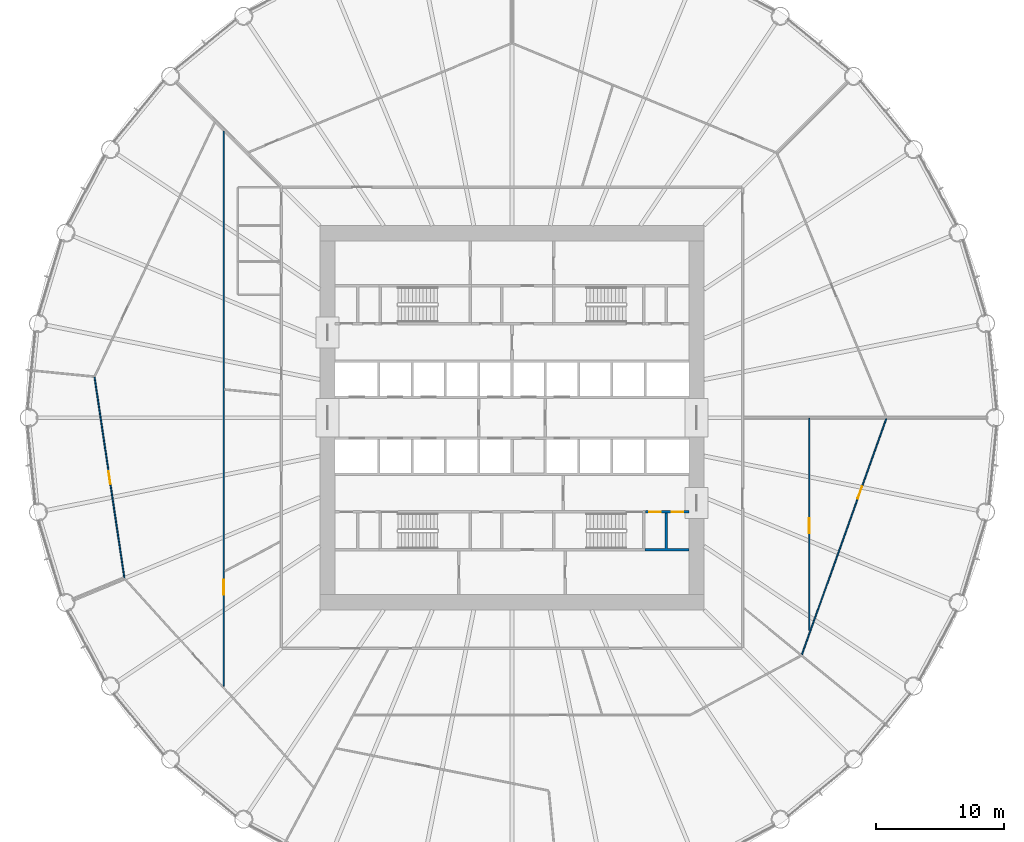
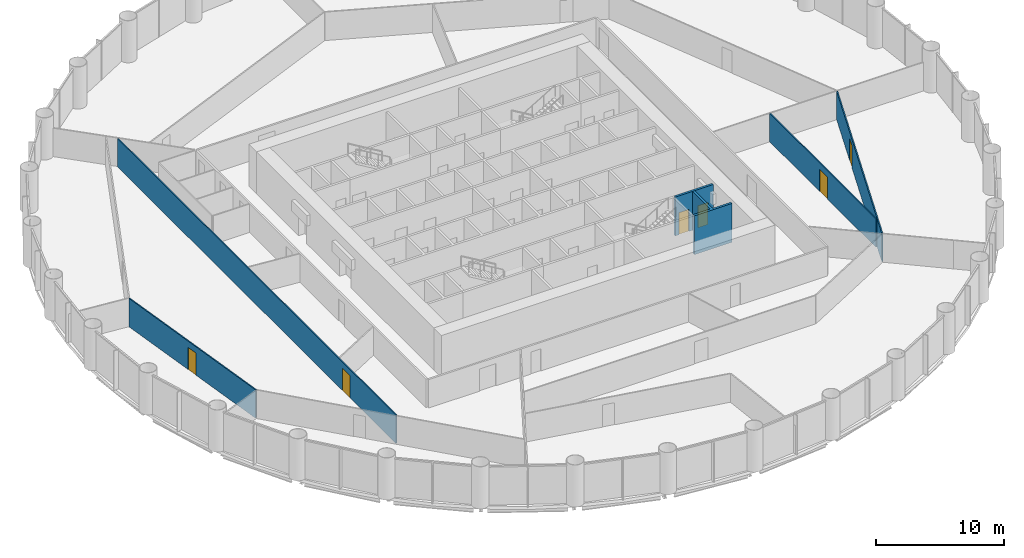
# One storey, part 11 of 15: 6 doors, 6 walls, 6 openings.
"""IFC4 building model written with IfcOpenShell, lengths in metres."""

from ifc_helpers import new_model, si_unit, direction, frame, frame_2d, origin, place, context, subcontext, project, spatial, polyline, rectangle, outline, extrude, material, layer, layer_set, type_object, element, fill, save


model = new_model("IFC4")

# Units and contexts
model_context = context("Model", 3, precision=1e-05, world=origin(), true_north=direction((0.0, 1.0)))
body_context = subcontext(model_context, "Body", "Model", "MODEL_VIEW")
ifc_project = project(units=[si_unit("LENGTHUNIT", "METRE"), si_unit("AREAUNIT", "SQUARE_METRE"), si_unit("VOLUMEUNIT", "CUBIC_METRE"), si_unit("PLANEANGLEUNIT", "RADIAN"), si_unit("MASSUNIT", "GRAM", prefix="KILO")], contexts=[model_context])

# Site, building, storey
site_placement = place(None, origin())
site = spatial("IfcSite", under=ifc_project, at=site_placement, CompositionType="ELEMENT")
building_placement = place(site_placement, origin())
building = spatial("IfcBuilding", under=site, at=building_placement, Name="Corvane Civic Tower", CompositionType="ELEMENT")
storey_placement = place(building_placement, frame((0.0, 0.0, 61.0)))
storey = spatial("IfcBuildingStorey", under=building, at=storey_placement, Name="L13", CompositionType="ELEMENT", Elevation=61.0)

# Wall, openings, doors
ifc_material_1 = material(Name="Concrete C30/37", Category="concrete")
ifc_layer_1 = layer(ifc_material_1, 0.199951171875)
ifc_layer_set_1 = layer_set([ifc_layer_1], Name="Concrete C30/37")
wall_type_1 = type_object("IfcWallType", Name="CR-WALL-200", PredefinedType="PARTITIONING", material=ifc_layer_set_1)
wall_1_placement = place(storey_placement, frame((10.39990234375, -7.35009765625, 0.0), z_axis=(0.0, 0.0, 1.0), x_axis=(1.0, 0.0, 0.0)))
wall_1 = element("IfcWall", 1, at=wall_1_placement, inside=storey, type_object=wall_type_1, Name="L13 core partition wall", PredefinedType="PARTITIONING", context=body_context, shape_type="SweptSolid", body=[
    extrude(rectangle(XDim=3.400146484375, YDim=0.199951171875, at=frame_2d((1.7001953125, 0.0))), origin(), (0.0, 0.0, 1.0), 3.699951171875),
])
opening_1_placement = place(wall_1_placement, frame((0.324951171875, 0.0, 0.0)))
opening_1 = element("IfcOpeningElement", 2, at=opening_1_placement, cuts=wall_1, Name="Opening L13.C18", PredefinedType="OPENING", context=body_context, shape_type="SweptSolid", body=[
    extrude(rectangle(XDim=0.89990234375, YDim=2.10009765625, at=frame_2d((0.449951171875, 1.050048828125))), frame((0.0, 0.10986328125, 0.0), z_axis=(0.0, -1.0, 0.0), x_axis=(1.0, 0.0, 0.0)), (0.0, 0.0, 1.0), 0.219970703125),
])
opening_2_placement = place(wall_1_placement, frame((2.074951171875, 0.0, 0.0)))
opening_2 = element("IfcOpeningElement", 3, at=opening_2_placement, cuts=wall_1, Name="Opening L13.C19", PredefinedType="OPENING", context=body_context, shape_type="SweptSolid", body=[
    extrude(rectangle(XDim=0.89990234375, YDim=2.10009765625, at=frame_2d((0.449951171875, 1.050048828125))), frame((0.0, 0.10986328125, 0.0), z_axis=(0.0, -1.0, 0.0), x_axis=(1.0, 0.0, 0.0)), (0.0, 0.0, 1.0), 0.219970703125),
])
ifc_material_2 = material(Name="Steel fire door leaf", Category="steel")
door_type_1 = type_object("IfcDoorType", Name="CR-DOOR-900", OperationType="SINGLE_SWING_LEFT", PredefinedType="DOOR", material=ifc_material_2)
door_1_placement = place(opening_1_placement, origin())
door_1 = element("IfcDoor", 4, at=door_1_placement, inside=storey, type_object=door_type_1, Name="L13 door", OperationType="SINGLE_SWING_LEFT", OverallHeight=2.10009765625, OverallWidth=0.89990234375, PredefinedType="DOOR", context=body_context, shape_type="SweptSolid", body=[
    extrude(rectangle(XDim=0.89990234375, YDim=2.10009765625, at=frame_2d((0.449951171875, 1.050048828125))), frame((0.0, 0.02490234375, 0.0), z_axis=(0.0, -1.0, 0.0), x_axis=(1.0, 0.0, 0.0)), (0.0, 0.0, 1.0), 0.050048828125),
])
fill(opening_1, door_1)
door_2_placement = place(opening_2_placement, origin())
door_2 = element("IfcDoor", 5, at=door_2_placement, inside=storey, type_object=door_type_1, Name="L13 door", OperationType="SINGLE_SWING_LEFT", OverallHeight=2.10009765625, OverallWidth=0.89990234375, PredefinedType="DOOR", context=body_context, shape_type="SweptSolid", body=[
    extrude(rectangle(XDim=0.89990234375, YDim=2.10009765625, at=frame_2d((0.449951171875, 1.050048828125))), frame((0.0, 0.02490234375, 0.0), z_axis=(0.0, -1.0, 0.0), x_axis=(1.0, 0.0, 0.0)), (0.0, 0.0, 1.0), 0.050048828125),
])
fill(opening_2, door_2)

# Wall
wall_2_placement = place(storey_placement, origin())
element("IfcWall", 6, at=wall_2_placement, inside=storey, type_object=wall_type_1, Name="L13 core partition wall", PredefinedType="PARTITIONING", context=body_context, shape_type="SweptSolid", body=[
    extrude(outline(polyline([(11.949951171875, -7.449951171875), (12.14990234375, -7.449951171875), (12.14990234375, -10.199951171875), (13.800048828125, -10.199951171875), (13.800048828125, -10.39990234375), (10.39990234375, -10.39990234375), (10.39990234375, -10.199951171875), (11.949951171875, -10.199951171875), (11.949951171875, -7.449951171875)])), origin(), (0.0, 0.0, 1.0), 3.699951171875),
])

# Wall, opening, door
ifc_material_3 = material(Name="Plasterboard")
ifc_layer_2 = layer(ifc_material_3, 0.10009765625)
ifc_layer_set_2 = layer_set([ifc_layer_2], Name="Plasterboard")
wall_type_2 = type_object("IfcWallType", Name="Partition 100 plasterboard on studs", PredefinedType="PARTITIONING", material=ifc_layer_set_2)
wall_3_placement = place(storey_placement, frame((-22.5, -20.953369140625, 0.0), z_axis=(0.0, 0.0, 1.0), x_axis=(0.0, 1.0, 0.0)))
wall_3 = element("IfcWall", 7, at=wall_3_placement, inside=storey, type_object=wall_type_2, Name="Partition L13.010", PredefinedType="PARTITIONING", context=body_context, shape_type="SweptSolid", body=[
    extrude(rectangle(XDim=43.332763671875, YDim=0.10009765625, at=frame_2d((21.66650390625, 0.0))), origin(), (0.0, 0.0, 1.0), 2.699951171875),
])
opening_3_placement = place(wall_3_placement, frame((7.12939453125, 0.0, 0.0)))
opening_3 = element("IfcOpeningElement", 8, at=opening_3_placement, cuts=wall_3, Name="Opening L13.011", PredefinedType="OPENING", context=body_context, shape_type="SweptSolid", body=[
    extrude(rectangle(XDim=1.199951171875, YDim=2.10009765625, at=frame_2d((0.60009765625, 1.050048828125))), frame((0.0, 0.06005859375, 0.0), z_axis=(0.0, -1.0, 0.0), x_axis=(1.0, 0.0, 0.0)), (0.0, 0.0, 1.0), 0.1201171875),
])
ifc_material_4 = material(Name="Timber", Category="wood")
door_type_2 = type_object("IfcDoorType", Name="Double door 1200", OperationType="NOTDEFINED", PredefinedType="DOOR", material=ifc_material_4)
door_3_placement = place(opening_3_placement, origin())
door_3 = element("IfcDoor", 9, at=door_3_placement, inside=storey, type_object=door_type_2, Name="Door L13.011", OperationType="DOUBLE_DOOR_SINGLE_SWING", OverallHeight=2.10009765625, OverallWidth=1.199951171875, PredefinedType="DOOR", context=body_context, shape_type="SweptSolid", body=[
    extrude(rectangle(XDim=1.199951171875, YDim=2.10009765625, at=frame_2d((0.60009765625, 1.050048828125))), frame((0.0, 0.02490234375, 0.0), z_axis=(0.0, -1.0, 0.0), x_axis=(1.0, 0.0, 0.0)), (0.0, 0.0, 1.0), 0.050048828125),
])
fill(opening_3, door_3)

wall_4_placement = place(storey_placement, frame((22.62646484375, -18.482666015625, 0.0), z_axis=(0.0, 0.0, 1.0), x_axis=(0.336893799743, 0.941542653147, 0.0)))
wall_4 = element("IfcWall", 10, at=wall_4_placement, inside=storey, type_object=wall_type_2, Name="Partition L13.011", PredefinedType="PARTITIONING", context=body_context, shape_type="SweptSolid", body=[
    extrude(rectangle(XDim=19.55908203125, YDim=0.10009765625, at=frame_2d((9.779541015625, 0.0))), origin(), (0.0, 0.0, 1.0), 2.699951171875),
])
opening_4_placement = place(wall_4_placement, frame((12.93701171875, 0.0, 0.0)))
opening_4 = element("IfcOpeningElement", 11, at=opening_4_placement, cuts=wall_4, Name="Opening L13.001", PredefinedType="OPENING", context=body_context, shape_type="SweptSolid", body=[
    extrude(rectangle(XDim=1.0, YDim=2.10009765625, at=frame_2d((0.5, 1.050048828125))), frame((0.0, 0.06005859375, 0.0), z_axis=(0.0, -1.0, 0.0), x_axis=(1.0, 0.0, 0.0)), (0.0, 0.0, 1.0), 0.1201171875),
])
ifc_material_5 = material(Name="Timber", Category="wood")
door_type_3 = type_object("IfcDoorType", Name="Single door 1000", OperationType="NOTDEFINED", PredefinedType="DOOR", material=ifc_material_5)
door_4_placement = place(opening_4_placement, frame((1.0, 0.0, 0.0), z_axis=(0.0, 0.0, 1.0), x_axis=(-1.0, 0.0, 0.0)))
door_4 = element("IfcDoor", 12, at=door_4_placement, inside=storey, type_object=door_type_3, Name="Door L13.001", OperationType="SINGLE_SWING_LEFT", OverallHeight=2.10009765625, OverallWidth=1.0, PredefinedType="DOOR", context=body_context, shape_type="SweptSolid", body=[
    extrude(rectangle(XDim=1.0, YDim=2.10009765625, at=frame_2d((0.5, 1.050048828125))), frame((0.0, 0.02490234375, 0.0), z_axis=(0.0, -1.0, 0.0), x_axis=(1.0, 0.0, 0.0)), (0.0, 0.0, 1.0), 0.050048828125),
])
fill(opening_4, door_4)

wall_5_placement = place(storey_placement, frame((23.199951171875, -16.591796875, 0.0), z_axis=(0.0, 0.0, 1.0), x_axis=(0.0, 1.0, 0.0)))
wall_5 = element("IfcWall", 13, at=wall_5_placement, inside=storey, type_object=wall_type_2, Name="Partition L13.015", PredefinedType="PARTITIONING", context=body_context, shape_type="SweptSolid", body=[
    extrude(rectangle(XDim=16.541748046875, YDim=0.10009765625, at=frame_2d((8.27099609375, 0.0))), origin(), (0.0, 0.0, 1.0), 2.699951171875),
])
opening_5_placement = place(wall_5_placement, frame((7.56396484375, 0.0, 0.0)))
opening_5 = element("IfcOpeningElement", 14, at=opening_5_placement, cuts=wall_5, Name="Opening L13.003", PredefinedType="OPENING", context=body_context, shape_type="SweptSolid", body=[
    extrude(rectangle(XDim=1.199951171875, YDim=2.10009765625, at=frame_2d((0.60009765625, 1.050048828125))), frame((0.0, 0.06005859375, 0.0), z_axis=(0.0, -1.0, 0.0), x_axis=(1.0, 0.0, 0.0)), (0.0, 0.0, 1.0), 0.1201171875),
])
door_5_placement = place(opening_5_placement, frame((1.199951171875, 0.0, 0.0), z_axis=(0.0, 0.0, 1.0), x_axis=(-1.0, 0.0, 0.0)))
door_5 = element("IfcDoor", 15, at=door_5_placement, inside=storey, type_object=door_type_2, Name="Door L13.003", OperationType="DOUBLE_DOOR_SINGLE_SWING", OverallHeight=2.10009765625, OverallWidth=1.199951171875, PredefinedType="DOOR", context=body_context, shape_type="SweptSolid", body=[
    extrude(rectangle(XDim=1.199951171875, YDim=2.10009765625, at=frame_2d((0.60009765625, 1.050048828125))), frame((0.0, 0.02490234375, 0.0), z_axis=(0.0, -1.0, 0.0), x_axis=(1.0, 0.0, 0.0)), (0.0, 0.0, 1.0), 0.050048828125),
])
fill(opening_5, door_5)

wall_6_placement = place(storey_placement, frame((-32.58056640625, 3.1708984375, 0.0), z_axis=(0.0, 0.0, 1.0), x_axis=(0.146738088934, -0.989175380434, 0.0)))
wall_6 = element("IfcWall", 16, at=wall_6_placement, inside=storey, type_object=wall_type_2, Name="Partition L13.017", PredefinedType="PARTITIONING", context=body_context, shape_type="SweptSolid", body=[
    extrude(rectangle(XDim=15.834228515625, YDim=0.10009765625, at=frame_2d((7.9169921875, 0.0))), origin(), (0.0, 0.0, 1.0), 2.699951171875),
])
opening_6_placement = place(wall_6_placement, frame((7.431396484375, 0.0, 0.0)))
opening_6 = element("IfcOpeningElement", 17, at=opening_6_placement, cuts=wall_6, Name="Opening L13.009", PredefinedType="OPENING", context=body_context, shape_type="SweptSolid", body=[
    extrude(rectangle(XDim=1.0, YDim=2.10009765625, at=frame_2d((0.5, 1.050048828125))), frame((0.0, 0.06005859375, 0.0), z_axis=(0.0, -1.0, 0.0), x_axis=(1.0, 0.0, 0.0)), (0.0, 0.0, 1.0), 0.1201171875),
])
door_6_placement = place(opening_6_placement, frame((1.0, 0.0, 0.0), z_axis=(0.0, 0.0, 1.0), x_axis=(-1.0, 0.0, 0.0)))
door_6 = element("IfcDoor", 18, at=door_6_placement, inside=storey, type_object=door_type_3, Name="Door L13.009", OperationType="SINGLE_SWING_LEFT", OverallHeight=2.10009765625, OverallWidth=1.0, PredefinedType="DOOR", context=body_context, shape_type="SweptSolid", body=[
    extrude(rectangle(XDim=1.0, YDim=2.10009765625, at=frame_2d((0.5, 1.050048828125))), frame((0.0, 0.02490234375, 0.0), z_axis=(0.0, -1.0, 0.0), x_axis=(1.0, 0.0, 0.0)), (0.0, 0.0, 1.0), 0.050048828125),
])
fill(opening_6, door_6)

save(model, "model.ifc")
